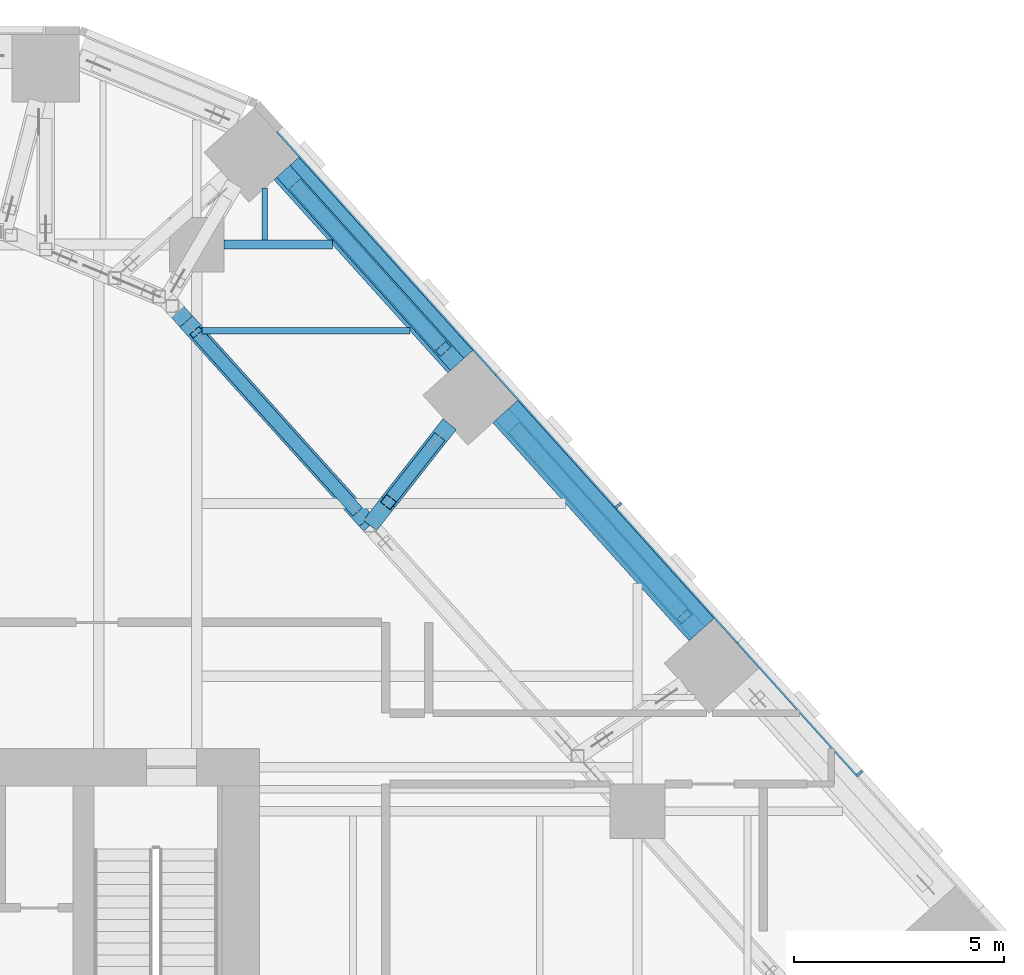
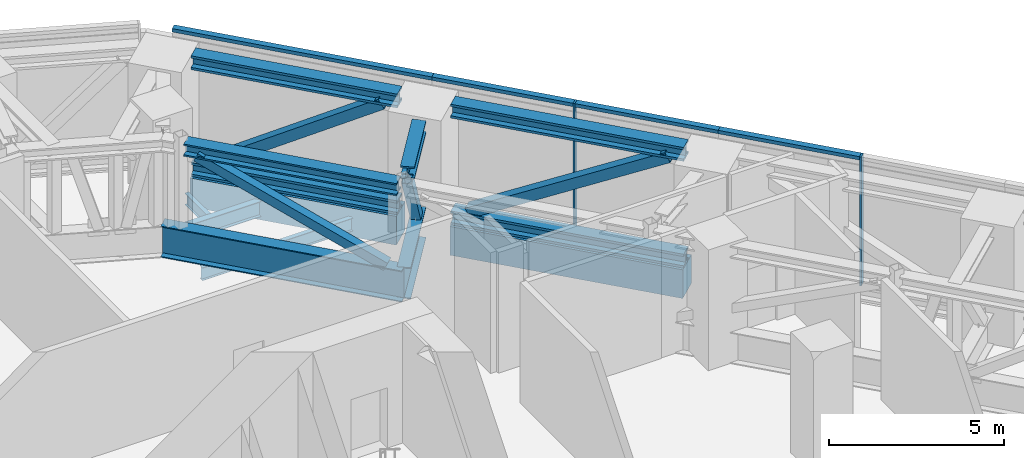
# One storey, part 15 of 36: 18 members, 5 beams, 1 element without a shape of its own.
"""IFC4 building model written with IfcOpenShell, lengths in metres."""

from ifc_helpers import new_model, si_unit, direction, frame, origin, origin_2d, place, context, subcontext, project, spatial, rectangle, hollow_rectangle, i_section, extrude, material, layer, layer_set, material_profile, profile_set, type_object, element, aggregate, save


model = new_model("IFC4")

# Units and contexts
model_context = context("Model", 3, precision=1e-05, world=origin(), true_north=direction((0.0, 1.0)))
body_context = subcontext(model_context, "Body", "Model", "MODEL_VIEW")
ifc_project = project(units=[si_unit("LENGTHUNIT", "METRE"), si_unit("AREAUNIT", "SQUARE_METRE"), si_unit("VOLUMEUNIT", "CUBIC_METRE"), si_unit("PLANEANGLEUNIT", "RADIAN"), si_unit("MASSUNIT", "GRAM", prefix="KILO")], contexts=[model_context])

# Site, building, storey
site_placement = place(None, origin())
site = spatial("IfcSite", under=ifc_project, at=site_placement, CompositionType="ELEMENT")
building_placement = place(site_placement, origin())
building = spatial("IfcBuilding", under=site, at=building_placement, Name="Isthmus Gate Tower", CompositionType="ELEMENT")
storey_placement = place(building_placement, frame((0.0, 0.0, 117.14990234375)))
storey = spatial("IfcBuildingStorey", under=building, at=storey_placement, Name="L28", CompositionType="ELEMENT", Elevation=117.14990234375)

# Members
ifc_material_1 = material(Name="Structural steel ASTM A913 Gr 65", Category="steel")
ifc_material_profile_1 = material_profile(ifc_material_1, i_section(OverallWidth=0.4287109375, OverallDepth=0.482666015625, WebThickness=0.05078125, FlangeThickness=0.0810546875, at=origin_2d()), Name="W14X455")
ifc_profile_set_1 = profile_set([ifc_material_profile_1], Name="Structural steel ASTM A913 Gr 65")
member_type_1 = type_object("IfcMemberType", Name="BELT TRUSS CHORD W14X455", PredefinedType="CHORD", material=ifc_profile_set_1)
for number, where, z_axis, x_axis, name in (
    (1, (15.564208984375, 28.7451171875, 0.241455078125), (0.669136885002, -0.743139172113, 0.0), (0.743139172113, 0.669136885002, 0.0), "str-belt01-L28-01"),
    (2, (15.564208984375, 28.7451171875, 3.958740234375), (0.669136885002, -0.743139172113, 0.0), (0.743139172113, 0.669136885002, 0.0), "str-belt01-L28-02"),
):
    element("IfcMember", number, at=place(storey_placement, frame(where, z_axis=z_axis, x_axis=x_axis)), inside=storey, type_object=member_type_1, Name=name, PredefinedType="CHORD", context=body_context, shape_type="SweptSolid", body=[
        extrude(i_section(OverallWidth=0.4287109375, OverallDepth=0.482666015625, WebThickness=0.05078125, FlangeThickness=0.0810546875, at=origin_2d()), origin(), (0.0, 0.0, 1.0), 6.189208984375),
    ])
for number, where, z_axis, x_axis, name in (
    (3, (20.776123046875, 22.95654296875, 0.241455078125), (0.669148043894, -0.74312912428, 0.0), (0.74312912428, 0.669148043894, 0.0), "str-belt02-L28-01"),
    (4, (20.776123046875, 22.95654296875, 3.958740234375), (0.669148043894, -0.74312912428, 0.0), (0.74312912428, 0.669148043894, 0.0), "str-belt02-L28-02"),
):
    element("IfcMember", number, at=place(storey_placement, frame(where, z_axis=z_axis, x_axis=x_axis)), inside=storey, type_object=member_type_1, Name=name, PredefinedType="CHORD", context=body_context, shape_type="SweptSolid", body=[
        extrude(i_section(OverallWidth=0.4287109375, OverallDepth=0.482666015625, WebThickness=0.05078125, FlangeThickness=0.0810546875, at=origin_2d()), origin(), (0.0, 0.0, 1.0), 6.989501953125),
    ])

# Curtain wall, members
ifc_material_2 = material(Name="Aluminium, pale champagne anodised", Category="aluminium")
ifc_layer = layer(ifc_material_2, 0.199951171875)
ifc_layer_set = layer_set([ifc_layer], Name="CW-2 LOUVRE CURTAIN WALL 200 DEEP")
curtain_wall_type = type_object("IfcCurtainWallType", Name="CW-2 LOUVRE CURTAIN WALL 200 DEEP", PredefinedType="NOTDEFINED", material=ifc_layer_set)
curtain_wall_placement = place(storey_placement, origin())
curtain_wall = element("IfcCurtainWall", 5, at=curtain_wall_placement, inside=storey, type_object=curtain_wall_type, Name="CW-2 NE L28", PredefinedType="NOTDEFINED")
ifc_material_3 = material(Name="Aluminium, pale champagne anodised", Category="aluminium")
ifc_material_profile_2 = material_profile(ifc_material_3, rectangle(XDim=0.06005859375, YDim=0.199951171875, at=origin_2d()), Name="60x200")
ifc_profile_set_2 = profile_set([ifc_material_profile_2], Name="Aluminium, pale champagne anodised")
member_type_2 = type_object("IfcMemberType", Name="CW-2 MULLION 60 X 200", PredefinedType="MULLION", material=ifc_profile_set_2)
member_1_placement = place(storey_placement, frame((29.287841796875, 14.400146484375, 0.0), z_axis=(0.0, 0.0, 1.0), x_axis=(-0.669130606359, 0.743144825477, 0.0)))
member_1 = element("IfcMember", 6, at=member_1_placement, type_object=member_type_2, Name="CW-2 mullion", PredefinedType="MULLION", context=body_context, shape_type="SweptSolid", body=[
    extrude(rectangle(XDim=0.06005859375, YDim=0.199951171875, at=origin_2d()), origin(), (0.0, 0.0, 1.0), 4.5),
])
member_2_placement = place(storey_placement, frame((23.54052734375, 20.783447265625, 0.0), z_axis=(0.0, 0.0, 1.0), x_axis=(-0.669130606359, 0.743144825477, 0.0)))
member_2 = element("IfcMember", 7, at=member_2_placement, type_object=member_type_2, Name="CW-2 mullion", PredefinedType="MULLION", context=body_context, shape_type="SweptSolid", body=[
    extrude(rectangle(XDim=0.06005859375, YDim=0.199951171875, at=origin_2d()), origin(), (0.0, 0.0, 1.0), 4.5),
])
ifc_material_4 = material(Name="Aluminium, pale champagne anodised", Category="aluminium")
ifc_material_profile_3 = material_profile(ifc_material_4, rectangle(XDim=0.199951171875, YDim=0.1201171875, at=origin_2d()), Name="200x120")
ifc_profile_set_3 = profile_set([ifc_material_profile_3], Name="Aluminium, pale champagne anodised")
member_type_3 = type_object("IfcMemberType", Name="CW-2 TRANSOM 200 X 120", PredefinedType="USERDEFINED", material=ifc_profile_set_3)
member_3_placement = place(storey_placement, frame((29.267822265625, 14.422607421875, 4.440185546875), z_axis=(-0.669123979474, 0.743150792298, 0.0), x_axis=(-0.743150792298, -0.669123979474, 0.0)))
member_3 = element("IfcMember", 8, at=member_3_placement, type_object=member_type_3, Name="CW-2 transom", ObjectType="TRANSOM", PredefinedType="USERDEFINED", context=body_context, shape_type="SweptSolid", body=[
    extrude(rectangle(XDim=0.199951171875, YDim=0.1201171875, at=origin_2d()), origin(), (0.0, 0.0, 1.0), 4.234619140625),
])
member_4_placement = place(storey_placement, frame((26.434326171875, 17.569580078125, 4.440185546875), z_axis=(-0.669159437096, 0.743118865153, 0.0), x_axis=(-0.743118865153, -0.669159437096, 0.0)))
member_4 = element("IfcMember", 9, at=member_4_placement, type_object=member_type_3, Name="CW-2 transom", ObjectType="TRANSOM", PredefinedType="USERDEFINED", context=body_context, shape_type="SweptSolid", body=[
    extrude(rectangle(XDim=0.199951171875, YDim=0.1201171875, at=origin_2d()), origin(), (0.0, 0.0, 1.0), 4.294677734375),
])
member_5_placement = place(storey_placement, frame((23.520263671875, 20.8056640625, 4.440185546875), z_axis=(-0.669123979474, 0.743150792298, 0.0), x_axis=(-0.743150792298, -0.669123979474, 0.0)))
member_5 = element("IfcMember", 10, at=member_5_placement, type_object=member_type_3, Name="CW-2 transom", ObjectType="TRANSOM", PredefinedType="USERDEFINED", context=body_context, shape_type="SweptSolid", body=[
    extrude(rectangle(XDim=0.199951171875, YDim=0.1201171875, at=origin_2d()), origin(), (0.0, 0.0, 1.0), 4.234619140625),
])
member_6_placement = place(storey_placement, frame((20.686767578125, 23.95263671875, 4.440185546875), z_axis=(-0.669137878224, 0.743138277797, 0.0), x_axis=(-0.743138277797, -0.669137878224, 0.0)))
member_6 = element("IfcMember", 11, at=member_6_placement, type_object=member_type_3, Name="CW-2 transom", ObjectType="TRANSOM", PredefinedType="USERDEFINED", context=body_context, shape_type="SweptSolid", body=[
    extrude(rectangle(XDim=0.199951171875, YDim=0.1201171875, at=origin_2d()), origin(), (0.0, 0.0, 1.0), 7.789306640625),
])
aggregate(curtain_wall, [member_1, member_3, member_4, member_2, member_5, member_6])

# Beams
ifc_material_5 = material(Name="Concrete f'c 70 MPa", Category="concrete")
ifc_material_profile_4 = material_profile(ifc_material_5, rectangle(XDim=0.800048828125, YDim=1.0, at=origin_2d()), Name="RC 800X1000")
ifc_profile_set_4 = profile_set([ifc_material_profile_4], Name="Concrete f'c 70 MPa")
beam_type_1 = type_object("IfcBeamType", Name="RC SPANDREL 800 X 1000", PredefinedType="SPANDREL", material=ifc_profile_set_4)
beam_1_placement = place(storey_placement, frame((15.638427734375, 28.812255859375, -0.5), z_axis=(0.669139054219, -0.743137218903, 0.0), x_axis=(0.743137218903, 0.669139054219, 0.0)))
element("IfcBeam", 12, at=beam_1_placement, inside=storey, type_object=beam_type_1, Name="str-spandrel-L28-01", PredefinedType="SPANDREL", context=body_context, shape_type="SweptSolid", body=[
    extrude(rectangle(XDim=0.800048828125, YDim=1.0, at=origin_2d()), origin(), (0.0, 0.0, 1.0), 6.189453125),
])
beam_2_placement = place(storey_placement, frame((20.8505859375, 23.0234375, -0.5), z_axis=(0.669128753615, -0.743146493691, 0.0), x_axis=(0.743146493691, 0.669128753615, 0.0)))
element("IfcBeam", 13, at=beam_2_placement, inside=storey, type_object=beam_type_1, Name="str-spandrel-L28-02", PredefinedType="SPANDREL", context=body_context, shape_type="SweptSolid", body=[
    extrude(rectangle(XDim=0.800048828125, YDim=1.0, at=origin_2d()), origin(), (0.0, 0.0, 1.0), 6.9892578125),
])
ifc_material_6 = material(Name="Structural steel ASTM A992 Gr 50", Category="steel")
ifc_material_profile_5 = material_profile(ifc_material_6, i_section(OverallWidth=0.1396484375, OverallDepth=0.4033203125, WebThickness=0.00634765625, FlangeThickness=0.010986328125, at=origin_2d()), Name="W16X31")
ifc_profile_set_5 = profile_set([ifc_material_profile_5], Name="Structural steel ASTM A992 Gr 50")
beam_type_2 = type_object("IfcBeamType", Name="STEEL FLOOR BEAM W16X31", PredefinedType="JOIST", material=ifc_profile_set_5)
beam_3_placement = place(storey_placement, frame((15.12109375, 27.104736328125, -0.50146484375), z_axis=(0.0, 1.0, 0.0), x_axis=(-1.0, 0.0, 0.0)))
element("IfcBeam", 14, at=beam_3_placement, inside=storey, type_object=beam_type_2, Name="str-beam-L28-25-00", PredefinedType="JOIST", context=body_context, shape_type="SweptSolid", body=[
    extrude(i_section(OverallWidth=0.1396484375, OverallDepth=0.4033203125, WebThickness=0.00634765625, FlangeThickness=0.010986328125, at=origin_2d()), origin(), (0.0, 0.0, 1.0), 1.24169921875),
])
ifc_material_7 = material(Name="Structural steel ASTM A992 Gr 50", Category="steel")
ifc_material_profile_6 = material_profile(ifc_material_7, i_section(OverallWidth=0.15234375, OverallDepth=0.45068359375, WebThickness=0.0078125, FlangeThickness=0.010986328125, at=origin_2d()), Name="W18X35")
ifc_profile_set_6 = profile_set([ifc_material_profile_6], Name="Structural steel ASTM A992 Gr 50")
beam_type_3 = type_object("IfcBeamType", Name="STEEL FLOOR BEAM W18X35", PredefinedType="JOIST", material=ifc_profile_set_6)
beam_4_placement = place(storey_placement, frame((13.626953125, 24.944091796875, -0.525390625), z_axis=(1.0, 0.0, 0.0), x_axis=(0.0, 1.0, 0.0)))
element("IfcBeam", 15, at=beam_4_placement, inside=storey, type_object=beam_type_3, Name="str-beam-L28-26-02", PredefinedType="JOIST", context=body_context, shape_type="SweptSolid", body=[
    extrude(i_section(OverallWidth=0.15234375, OverallDepth=0.45068359375, WebThickness=0.0078125, FlangeThickness=0.010986328125, at=origin_2d()), origin(), (0.0, 0.0, 1.0), 4.9560546875),
])
ifc_material_8 = material(Name="Structural steel ASTM A992 Gr 50", Category="steel")
ifc_material_profile_7 = material_profile(ifc_material_8, i_section(OverallWidth=0.20947265625, OverallDepth=0.533447265625, WebThickness=0.009521484375, FlangeThickness=0.015869140625, at=origin_2d()), Name="W21X62")
ifc_profile_set_7 = profile_set([ifc_material_profile_7], Name="Structural steel ASTM A992 Gr 50")
beam_type_4 = type_object("IfcBeamType", Name="STEEL GIRDER W21X62", PredefinedType="BEAM", material=ifc_profile_set_7)
beam_5_placement = place(storey_placement, frame((14.14990234375, 27.0, -0.566650390625), z_axis=(1.0, 0.0, 0.0), x_axis=(0.0, 1.0, 0.0)))
element("IfcBeam", 16, at=beam_5_placement, inside=storey, type_object=beam_type_4, Name="str-girder-L28-20", PredefinedType="BEAM", context=body_context, shape_type="SweptSolid", body=[
    extrude(i_section(OverallWidth=0.20947265625, OverallDepth=0.533447265625, WebThickness=0.009521484375, FlangeThickness=0.015869140625, at=origin_2d()), origin(), (0.0, 0.0, 1.0), 2.58203125),
])

# Members
ifc_material_9 = material(Name="Structural steel ASTM A913 Gr 65", Category="steel")
ifc_material_profile_8 = material_profile(ifc_material_9, i_section(OverallWidth=0.40966796875, OverallDepth=0.42529296875, WebThickness=0.033203125, FlangeThickness=0.052490234375, at=origin_2d()), Name="W14X283")
ifc_profile_set_8 = profile_set([ifc_material_profile_8], Name="Structural steel ASTM A913 Gr 65")
member_type_4 = type_object("IfcMemberType", Name="TRANSFER TRUSS CHORD W14X283", PredefinedType="CHORD", material=ifc_profile_set_8)
member_7_placement = place(storey_placement, frame((13.251953125, 25.1669921875, 3.887451171875), z_axis=(0.669131572964, -0.743143955141, 0.0), x_axis=(0.743143955141, 0.669131572964, 0.0)))
element("IfcMember", 17, at=member_7_placement, inside=storey, type_object=member_type_4, Name="str-ring01-L28-14", PredefinedType="CHORD", context=body_context, shape_type="SweptSolid", body=[
    extrude(i_section(OverallWidth=0.40966796875, OverallDepth=0.42529296875, WebThickness=0.033203125, FlangeThickness=0.052490234375, at=origin_2d()), origin(), (0.0, 0.0, 1.0), 6.38623046875),
])
member_8_placement = place(storey_placement, frame((19.523681640625, 22.721435546875, 3.887451171875), z_axis=(-0.617944950033, -0.78622136751, 0.0), x_axis=(0.78622136751, -0.617944950033, 0.0)))
element("IfcMember", 18, at=member_8_placement, inside=storey, type_object=member_type_4, Name="str-link25-L28-02", PredefinedType="CHORD", context=body_context, shape_type="SweptSolid", body=[
    extrude(i_section(OverallWidth=0.40966796875, OverallDepth=0.42529296875, WebThickness=0.033203125, FlangeThickness=0.052490234375, at=origin_2d()), origin(), (0.0, 0.0, 1.0), 2.359130859375),
])
ifc_material_10 = material(Name="Structural steel ASTM A913 Gr 65", Category="steel")
ifc_material_profile_9 = material_profile(ifc_material_10, i_section(OverallWidth=0.39990234375, OverallDepth=1.089111328125, WebThickness=0.017578125, FlangeThickness=0.03173828125, at=origin_2d()), Name="W44X230")
ifc_profile_set_9 = profile_set([ifc_material_profile_9], Name="Structural steel ASTM A913 Gr 65")
member_type_5 = type_object("IfcMemberType", Name="TRANSFER TRUSS CHORD W44X230", PredefinedType="CHORD", material=ifc_profile_set_9)
member_9_placement = place(storey_placement, frame((12.787353515625, 25.68310546875, 0.544677734375), z_axis=(0.669126955678, -0.743148112549, 0.0), x_axis=(0.743148112549, 0.669126955678, 0.0)))
element("IfcMember", 19, at=member_9_placement, inside=storey, type_object=member_type_5, Name="str-ring01-L28-09", PredefinedType="CHORD", context=body_context, shape_type="SweptSolid", body=[
    extrude(i_section(OverallWidth=0.39990234375, OverallDepth=1.089111328125, WebThickness=0.017578125, FlangeThickness=0.03173828125, at=origin_2d()), origin(), (0.0, 0.0, 1.0), 7.233154296875),
])
member_10_placement = place(storey_placement, frame((19.523681640625, 22.721435546875, 0.544677734375), z_axis=(-0.617930440254, -0.786232771517, 0.0), x_axis=(0.786232771517, -0.617930440254, 0.0)))
element("IfcMember", 20, at=member_10_placement, inside=storey, type_object=member_type_5, Name="str-link25-L28-01", PredefinedType="CHORD", context=body_context, shape_type="SweptSolid", body=[
    extrude(i_section(OverallWidth=0.39990234375, OverallDepth=1.089111328125, WebThickness=0.017578125, FlangeThickness=0.03173828125, at=origin_2d()), origin(), (0.0, 0.0, 1.0), 3.069580078125),
])
ifc_material_11 = material(Name="Structural steel ASTM A500 Gr C", Category="steel")
ifc_material_profile_10 = material_profile(ifc_material_11, hollow_rectangle(XDim=0.3046875, YDim=0.3046875, WallThickness=0.014892578125, at=origin_2d()), Name="HSS12X12X5/8")
ifc_profile_set_10 = profile_set([ifc_material_profile_10], Name="Structural steel ASTM A500 Gr C")
member_type_6 = type_object("IfcMemberType", Name="TRANSFER TRUSS DIAGONAL HSS12X12X5/8", PredefinedType="BRACE", material=ifc_profile_set_10)
member_11_placement = place(storey_placement, frame((17.29248046875, 20.679443359375, 1.089111328125), z_axis=(-0.609207078047, 0.676579959803, 0.413649965611), x_axis=(-0.743138410053, -0.66913773134, 0.0)))
element("IfcMember", 21, at=member_11_placement, inside=storey, type_object=member_type_6, Name="str-ring01-L28-19", PredefinedType="BRACE", context=body_context, shape_type="SweptSolid", body=[
    extrude(hollow_rectangle(XDim=0.3046875, YDim=0.3046875, WallThickness=0.014892578125, at=origin_2d()), origin(), (0.0, 0.0, 1.0), 6.2509765625),
])
member_12_placement = place(storey_placement, frame((19.214599609375, 22.328369140625, 1.089111328125), z_axis=(-0.360697427429, -0.458978851863, 0.811933358958), x_axis=(0.786259092732, -0.617896948606, 0.0)))
element("IfcMember", 22, at=member_12_placement, inside=storey, type_object=member_type_6, Name="str-link25-L28-03", PredefinedType="BRACE", context=body_context, shape_type="SweptSolid", body=[
    extrude(hollow_rectangle(XDim=0.3046875, YDim=0.3046875, WallThickness=0.014892578125, at=origin_2d()), origin(), (0.0, 0.0, 1.0), 3.1845703125),
])
ifc_material_12 = material(Name="Structural steel ASTM A500 Gr C", Category="steel")
ifc_material_profile_11 = material_profile(ifc_material_12, hollow_rectangle(XDim=0.355712890625, YDim=0.355712890625, WallThickness=0.017578125, at=origin_2d()), Name="HSS14X14X3/4")
ifc_profile_set_11 = profile_set([ifc_material_profile_11], Name="Structural steel ASTM A500 Gr C")
member_type_7 = type_object("IfcMemberType", Name="TRUSS DIAGONAL HSS14X14X3/4", PredefinedType="BRACE", material=ifc_profile_set_11)
member_13_placement = place(storey_placement, frame((15.898681640625, 28.37353515625, 0.482666015625), z_axis=(0.567858753258, -0.630621458744, 0.529011353489), x_axis=(0.743118666494, 0.669159657711, 0.0)))
element("IfcMember", 23, at=member_13_placement, inside=storey, type_object=member_type_7, Name="str-belt01-L28-03", PredefinedType="BRACE", context=body_context, shape_type="SweptSolid", body=[
    extrude(hollow_rectangle(XDim=0.355712890625, YDim=0.355712890625, WallThickness=0.017578125, at=origin_2d()), origin(), (0.0, 0.0, 1.0), 6.114990234375),
])
member_14_placement = place(storey_placement, frame((21.11083984375, 22.5849609375, 0.482666015625), z_axis=(0.588739350139, -0.653871891099, 0.475223660636), x_axis=(0.7431502199, 0.669124615197, 0.0)))
element("IfcMember", 24, at=member_14_placement, inside=storey, type_object=member_type_7, Name="str-belt02-L28-03", PredefinedType="BRACE", context=body_context, shape_type="SweptSolid", body=[
    extrude(hollow_rectangle(XDim=0.355712890625, YDim=0.355712890625, WallThickness=0.017578125, at=origin_2d()), origin(), (0.0, 0.0, 1.0), 6.80712890625),
])

save(model, "model.ifc")
